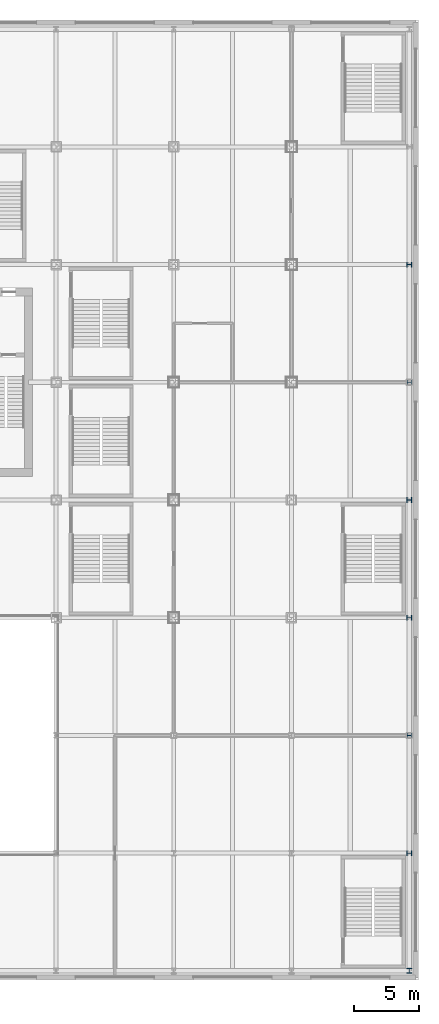
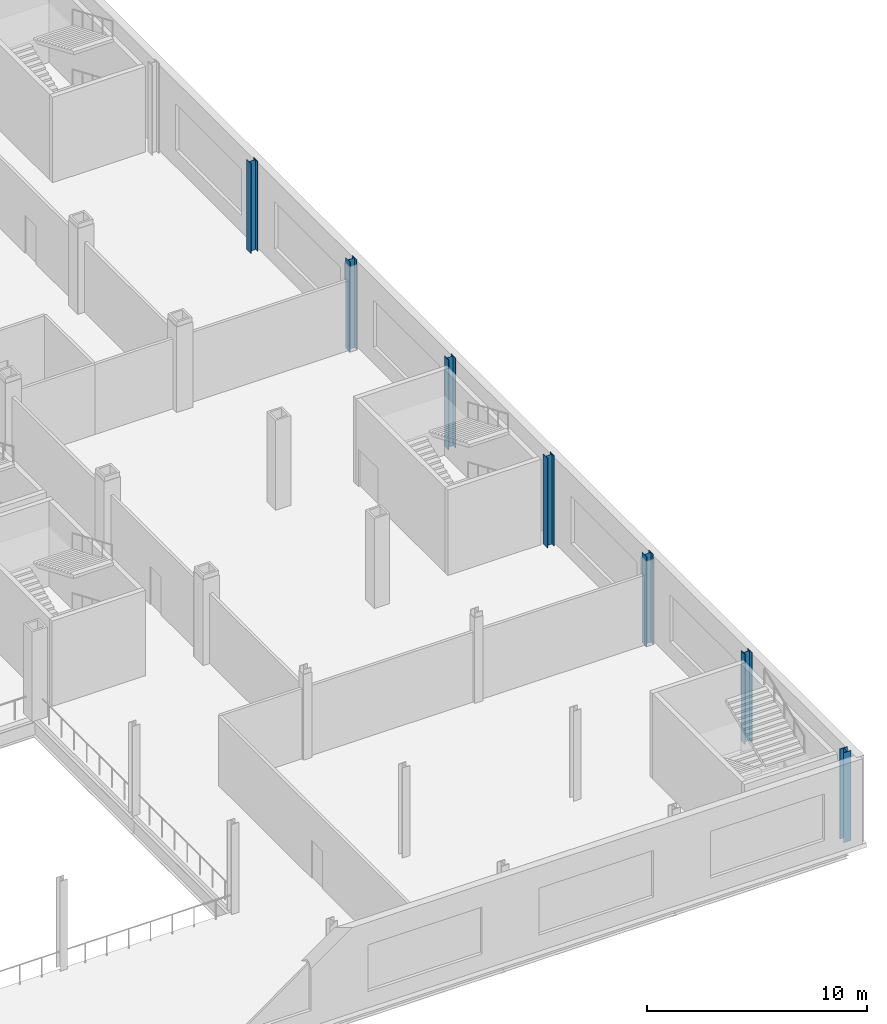
# One storey, part 5 of 28: 7 columns.
"""IFC4 building model written with IfcOpenShell, lengths in metres."""

from ifc_helpers import new_model, si_unit, direction, frame, origin, origin_2d, place, context, subcontext, project, spatial, i_section, extrude, material, material_profile, profile_set, type_object, element, save


model = new_model("IFC4")

# Units and contexts
model_context = context("Model", 3, precision=1e-05, world=origin(), true_north=direction((0.0, 1.0)))
body_context = subcontext(model_context, "Body", "Model", "MODEL_VIEW")
ifc_project = project(units=[si_unit("LENGTHUNIT", "METRE"), si_unit("AREAUNIT", "SQUARE_METRE"), si_unit("VOLUMEUNIT", "CUBIC_METRE"), si_unit("PLANEANGLEUNIT", "RADIAN"), si_unit("MASSUNIT", "GRAM", prefix="KILO")], contexts=[model_context])

# Site, building, storey
site_placement = place(None, origin())
site = spatial("IfcSite", under=ifc_project, at=site_placement, CompositionType="ELEMENT")
building_placement = place(site_placement, origin())
building = spatial("IfcBuilding", under=site, at=building_placement, Name="Loomwork Tower", CompositionType="ELEMENT")
storey_placement = place(building_placement, frame((0.0, 0.0, 6.0)))
storey = spatial("IfcBuildingStorey", under=building, at=storey_placement, Name="L01", CompositionType="ELEMENT", Elevation=6.0)

# Columns
ifc_material = material(Name="Steel ASTM A992", Category="steel")
ifc_material_profile = material_profile(ifc_material, i_section(OverallWidth=0.393798828125, OverallDepth=0.3759765625, WebThickness=0.017333984375, FlangeThickness=0.027587890625, at=origin_2d()), Name="W14x145")
ifc_profile_set = profile_set([ifc_material_profile], Name="Steel ASTM A992")
column_type = type_object("IfcColumnType", Name="PODIUM COLUMN W14x145", PredefinedType="COLUMN", material=ifc_profile_set)
for number, where, z_axis, x_axis, name in (
    (1, (63.0, -27.0, 0.0), (0.0, 0.0, 1.0), (1.0, 0.0, 0.0), "Podium Column A/9 L01"),
    (2, (63.0, -18.0, 0.0), (0.0, 0.0, 1.0), (0.0, 1.0, 0.0), "Podium Column B/9 L01"),
    (3, (63.0, -9.0, 0.0), (0.0, 0.0, 1.0), (0.0, 1.0, 0.0), "Podium Column C/9 L01"),
    (4, (63.0, 0.0, 0.0), (0.0, 0.0, 1.0), (0.0, 1.0, 0.0), "Podium Column D/9 L01"),
    (5, (63.0, 9.0, 0.0), (0.0, 0.0, 1.0), (0.0, 1.0, 0.0), "Podium Column E/9 L01"),
    (6, (63.0, 18.0, 0.0), (0.0, 0.0, 1.0), (0.0, 1.0, 0.0), "Podium Column F/9 L01"),
    (7, (63.0, 27.0, 0.0), (0.0, 0.0, 1.0), (0.0, 1.0, 0.0), "Podium Column G/9 L01"),
):
    element("IfcColumn", number, at=place(storey_placement, frame(where, z_axis=z_axis, x_axis=x_axis)), inside=storey, type_object=column_type, Name=name, PredefinedType="COLUMN", context=body_context, shape_type="SweptSolid", body=[
        extrude(i_section(OverallWidth=0.393798828125, OverallDepth=0.3759765625, WebThickness=0.017333984375, FlangeThickness=0.027587890625, at=origin_2d()), origin(), (0.0, 0.0, 1.0), 5.0),
    ])

save(model, "model.ifc")
